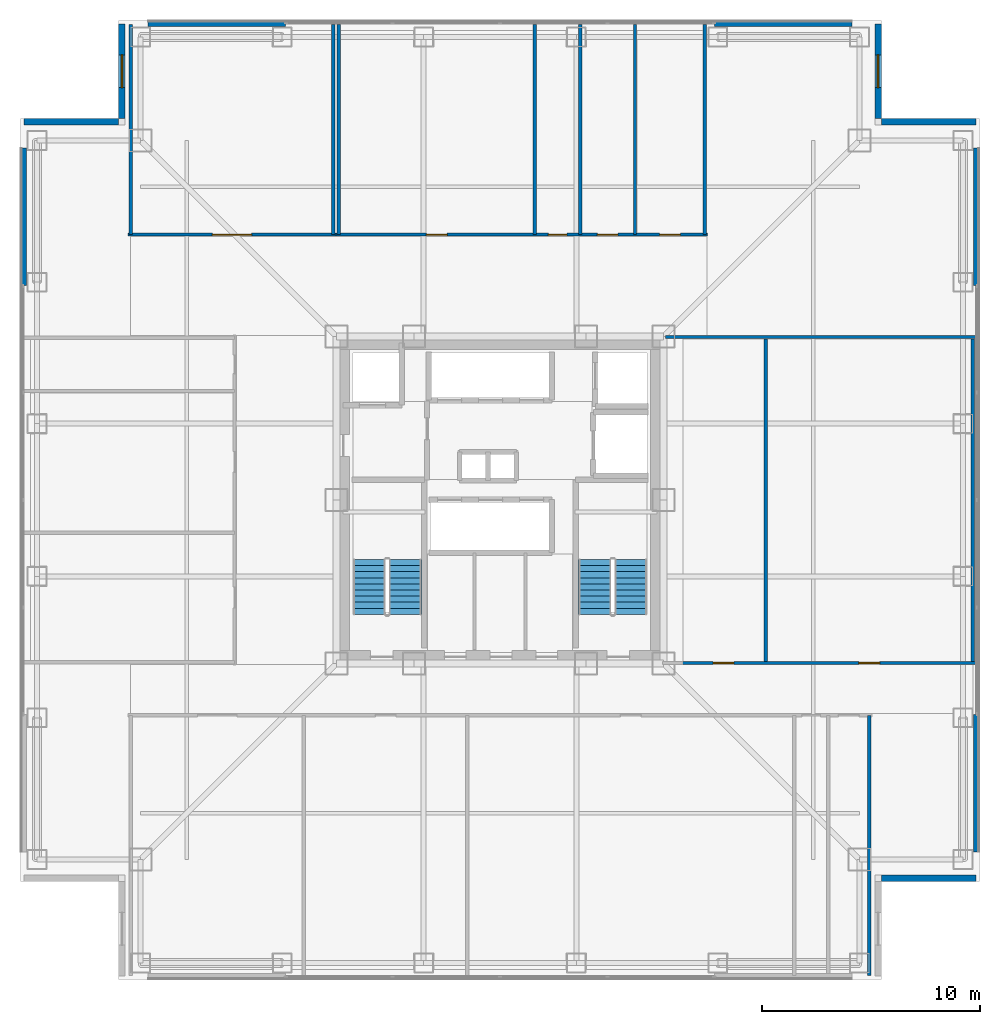
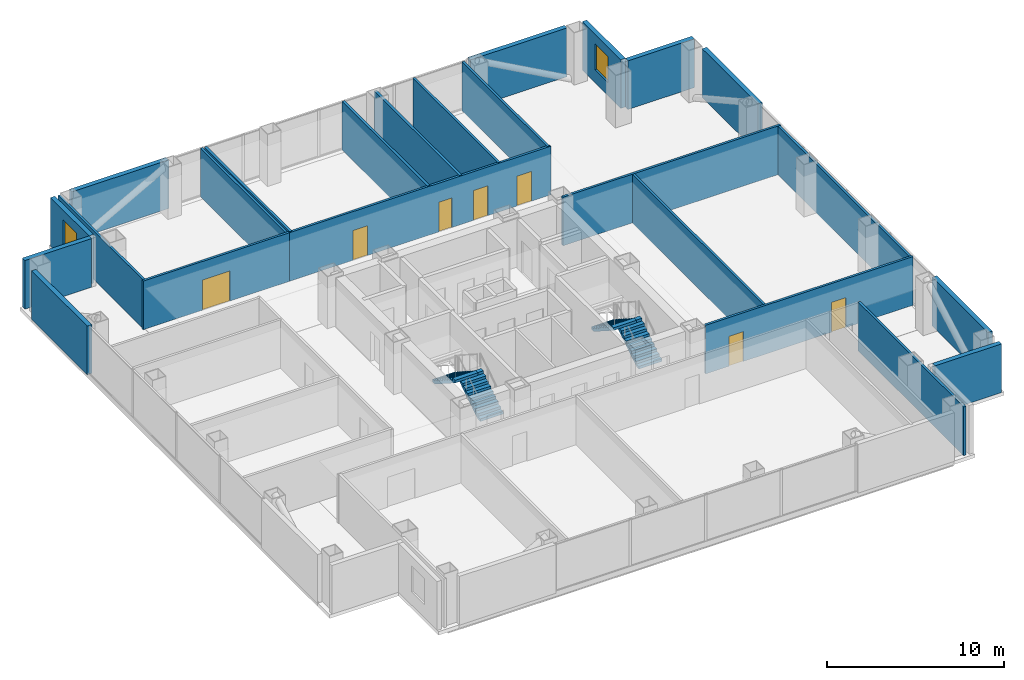
# One storey, part 13 of 16: 24 walls, 7 doors, 4 stair flights, 2 windows, 9 openings, 2 elements without a shape of their own.
"""IFC4 building model written with IfcOpenShell, lengths in metres."""

from ifc_helpers import new_model, si_unit, direction, frame, frame_2d, origin, place, context, subcontext, project, spatial, polyline, rectangle, outline, extrude, material, layer, layer_set, type_object, element, fill, aggregate, save


model = new_model("IFC4")

# Units and contexts
model_context = context("Model", 3, precision=1e-05, world=origin(), true_north=direction((0.0, 1.0)))
body_context = subcontext(model_context, "Body", "Model", "MODEL_VIEW")
ifc_project = project(units=[si_unit("LENGTHUNIT", "METRE"), si_unit("AREAUNIT", "SQUARE_METRE"), si_unit("VOLUMEUNIT", "CUBIC_METRE"), si_unit("PLANEANGLEUNIT", "RADIAN"), si_unit("MASSUNIT", "GRAM", prefix="KILO")], contexts=[model_context])

# Site, building, storey
site_placement = place(None, origin())
site = spatial("IfcSite", under=ifc_project, at=site_placement, CompositionType="ELEMENT")
building_placement = place(site_placement, origin())
building = spatial("IfcBuilding", under=site, at=building_placement, Name="Trevonay Congress Spire", CompositionType="ELEMENT")
storey_placement = place(building_placement, frame((0.0, 0.0, 101.199951171875)))
storey = spatial("IfcBuildingStorey", under=building, at=storey_placement, Name="L25", CompositionType="ELEMENT", Elevation=101.199951171875)

# Wall, opening, door
ifc_material_1 = material(Name="Concrete C40/50", Category="concrete")
ifc_layer_1 = layer(ifc_material_1, 0.14990234375, Name="Concrete C40/50")
ifc_layer_set_1 = layer_set([ifc_layer_1], Name="Concrete C40/50")
wall_type_1 = type_object("IfcWallType", Name="WAL-CORR-150", PredefinedType="PARTITIONING", material=ifc_layer_set_1)
wall_1_placement = place(storey_placement, frame((-17.070068359375, 12.179931640625, 0.0), z_axis=(0.0, 0.0, 1.0), x_axis=(1.0, 0.0, 0.0)))
wall_1 = element("IfcWall", 1, at=wall_1_placement, inside=storey, type_object=wall_type_1, Name="L25 interior wall WP-L25NW-COR", PredefinedType="PARTITIONING", context=body_context, shape_type="SweptSolid", body=[
    extrude(rectangle(XDim=9.5400390625, YDim=0.14990234375, at=frame_2d((4.77001953125, 0.0))), origin(), (0.0, 0.0, 1.0), 3.360107421875),
])
opening_1_placement = place(wall_1_placement, frame((3.8701171875, 0.0, 0.0)))
opening_1 = element("IfcOpeningElement", 2, at=opening_1_placement, cuts=wall_1, Name="Opening D09", PredefinedType="OPENING", context=body_context, shape_type="SweptSolid", body=[
    extrude(rectangle(XDim=1.800048828125, YDim=2.080078125, at=frame_2d((0.89990234375, 1.0400390625))), frame((0.0, 0.0849609375, 0.0), z_axis=(0.0, -1.0, 0.0), x_axis=(1.0, 0.0, 0.0)), (0.0, 0.0, 1.0), 0.169921875),
])
ifc_material_2 = material(Name="Pale Anodised Aluminium EN AW-6063-T6", Category="aluminium")
door_type_1 = type_object("IfcDoorType", Name="DOR-CONF-DBL", OperationType="DOUBLE_DOOR_SINGLE_SWING", PredefinedType="DOOR", material=ifc_material_2)
door_1_placement = place(opening_1_placement, origin())
door_1 = element("IfcDoor", 3, at=door_1_placement, inside=storey, type_object=door_type_1, Name="L25 Treaty Seminar Salon North-West Door", OperationType="DOUBLE_DOOR_SINGLE_SWING", OverallHeight=2.080078125, OverallWidth=1.800048828125, PredefinedType="DOOR", context=body_context, shape_type="SweptSolid", body=[
    extrude(rectangle(XDim=1.800048828125, YDim=2.080078125, at=frame_2d((0.89990234375, 1.0400390625))), frame((0.0, 0.02490234375, 0.0), z_axis=(0.0, -1.0, 0.0), x_axis=(1.0, 0.0, 0.0)), (0.0, 0.0, 1.0), 0.050048828125),
])
fill(opening_1, door_1)

# Wall, openings, doors
wall_2_placement = place(storey_placement, frame((-7.52001953125, 12.179931640625, 0.0), z_axis=(0.0, 0.0, 1.0), x_axis=(1.0, 0.0, 0.0)))
wall_2 = element("IfcWall", 4, at=wall_2_placement, inside=storey, type_object=wall_type_1, Name="L25 interior wall WP-L25NE-COR", PredefinedType="PARTITIONING", context=body_context, shape_type="SweptSolid", body=[
    extrude(rectangle(XDim=17.0400390625, YDim=0.14990234375, at=frame_2d((8.52001953125, 0.0))), origin(), (0.0, 0.0, 1.0), 3.360107421875),
])
opening_2_placement = place(wall_2_placement, frame((4.14501953125, 0.0, 0.0)))
opening_2 = element("IfcOpeningElement", 5, at=opening_2_placement, cuts=wall_2, Name="Opening D07", PredefinedType="OPENING", context=body_context, shape_type="SweptSolid", body=[
    extrude(rectangle(XDim=0.949951171875, YDim=2.06005859375, at=frame_2d((0.47509765625, 1.030029296875))), frame((0.0, 0.0849609375, 0.0), z_axis=(0.0, -1.0, 0.0), x_axis=(1.0, 0.0, 0.0)), (0.0, 0.0, 1.0), 0.169921875),
])
opening_3_placement = place(wall_2_placement, frame((9.735107421875, 0.0, 0.0)))
opening_3 = element("IfcOpeningElement", 6, at=opening_3_placement, cuts=wall_2, Name="Opening D10", PredefinedType="OPENING", context=body_context, shape_type="SweptSolid", body=[
    extrude(rectangle(XDim=0.85009765625, YDim=2.050048828125, at=frame_2d((0.425048828125, 1.02490234375))), frame((0.0, 0.0849609375, 0.0), z_axis=(0.0, -1.0, 0.0), x_axis=(1.0, 0.0, 0.0)), (0.0, 0.0, 1.0), 0.169921875),
])
opening_4_placement = place(wall_2_placement, frame((11.985107421875, 0.0, 0.0)))
opening_4 = element("IfcOpeningElement", 7, at=opening_4_placement, cuts=wall_2, Name="Opening D07", PredefinedType="OPENING", context=body_context, shape_type="SweptSolid", body=[
    extrude(rectangle(XDim=0.949951171875, YDim=2.06005859375, at=frame_2d((0.47509765625, 1.030029296875))), frame((0.0, 0.0849609375, 0.0), z_axis=(0.0, -1.0, 0.0), x_axis=(1.0, 0.0, 0.0)), (0.0, 0.0, 1.0), 0.169921875),
])
opening_5_placement = place(wall_2_placement, frame((14.844970703125, 0.0, 0.0)))
opening_5 = element("IfcOpeningElement", 8, at=opening_5_placement, cuts=wall_2, Name="Opening D07", PredefinedType="OPENING", context=body_context, shape_type="SweptSolid", body=[
    extrude(rectangle(XDim=0.949951171875, YDim=2.06005859375, at=frame_2d((0.47509765625, 1.030029296875))), frame((0.0, 0.0849609375, 0.0), z_axis=(0.0, -1.0, 0.0), x_axis=(1.0, 0.0, 0.0)), (0.0, 0.0, 1.0), 0.169921875),
])
door_type_2 = type_object("IfcDoorType", Name="DOR-OFFICE-95", OperationType="NOTDEFINED", PredefinedType="DOOR", material=ifc_material_2)
door_2_placement = place(opening_2_placement, origin())
door_2 = element("IfcDoor", 9, at=door_2_placement, inside=storey, type_object=door_type_2, Name="L25 North-East Policy Research Studio Door", OperationType="SINGLE_SWING_RIGHT", OverallHeight=2.06005859375, OverallWidth=0.949951171875, PredefinedType="DOOR", context=body_context, shape_type="SweptSolid", body=[
    extrude(rectangle(XDim=0.949951171875, YDim=2.06005859375, at=frame_2d((0.47509765625, 1.030029296875))), frame((0.0, 0.02490234375, 0.0), z_axis=(0.0, -1.0, 0.0), x_axis=(1.0, 0.0, 0.0)), (0.0, 0.0, 1.0), 0.050048828125),
])
fill(opening_2, door_2)
door_3_placement = place(opening_4_placement, origin())
door_3 = element("IfcDoor", 10, at=door_3_placement, inside=storey, type_object=door_type_2, Name="L25 Floor Supplies and Copy Room Door", OperationType="SINGLE_SWING_RIGHT", OverallHeight=2.06005859375, OverallWidth=0.949951171875, PredefinedType="DOOR", context=body_context, shape_type="SweptSolid", body=[
    extrude(rectangle(XDim=0.949951171875, YDim=2.06005859375, at=frame_2d((0.47509765625, 1.030029296875))), frame((0.0, 0.02490234375, 0.0), z_axis=(0.0, -1.0, 0.0), x_axis=(1.0, 0.0, 0.0)), (0.0, 0.0, 1.0), 0.050048828125),
])
fill(opening_4, door_3)
door_4_placement = place(opening_5_placement, origin())
door_4 = element("IfcDoor", 11, at=door_4_placement, inside=storey, type_object=door_type_2, Name="L25 Tea Pantry Door", OperationType="SINGLE_SWING_LEFT", OverallHeight=2.06005859375, OverallWidth=0.949951171875, PredefinedType="DOOR", context=body_context, shape_type="SweptSolid", body=[
    extrude(rectangle(XDim=0.949951171875, YDim=2.06005859375, at=frame_2d((0.47509765625, 1.030029296875))), frame((0.0, 0.02490234375, 0.0), z_axis=(0.0, -1.0, 0.0), x_axis=(1.0, 0.0, 0.0)), (0.0, 0.0, 1.0), 0.050048828125),
])
fill(opening_5, door_4)
door_type_3 = type_object("IfcDoorType", Name="DOR-WC-85", OperationType="NOTDEFINED", PredefinedType="DOOR", material=ifc_material_2)
door_5_placement = place(opening_3_placement, origin())
door_5 = element("IfcDoor", 12, at=door_5_placement, inside=storey, type_object=door_type_3, Name="L25 Female Restroom WC Door", OperationType="SINGLE_SWING_LEFT", OverallHeight=2.050048828125, OverallWidth=0.85009765625, PredefinedType="DOOR", context=body_context, shape_type="SweptSolid", body=[
    extrude(rectangle(XDim=0.85009765625, YDim=2.050048828125, at=frame_2d((0.425048828125, 1.02490234375))), frame((0.0, 0.02490234375, 0.0), z_axis=(0.0, -1.0, 0.0), x_axis=(1.0, 0.0, 0.0)), (0.0, 0.0, 1.0), 0.050048828125),
])
fill(opening_3, door_5)

wall_3_placement = place(storey_placement, frame((8.280029296875, -7.47998046875, 0.0), z_axis=(0.0, 0.0, 1.0), x_axis=(1.0, 0.0, 0.0)))
wall_3 = element("IfcWall", 13, at=wall_3_placement, inside=storey, type_object=wall_type_1, Name="L25 interior wall WP-L25E-COR", PredefinedType="PARTITIONING", context=body_context, shape_type="SweptSolid", body=[
    extrude(rectangle(XDim=13.5400390625, YDim=0.14990234375, at=frame_2d((6.77001953125, 0.0))), origin(), (0.0, 0.0, 1.0), 3.360107421875),
])
opening_6_placement = place(wall_3_placement, frame((1.5048828125, 0.0, 0.0)))
opening_6 = element("IfcOpeningElement", 14, at=opening_6_placement, cuts=wall_3, Name="Opening D07", PredefinedType="OPENING", context=body_context, shape_type="SweptSolid", body=[
    extrude(rectangle(XDim=0.949951171875, YDim=2.06005859375, at=frame_2d((0.47509765625, 1.030029296875))), frame((0.0, 0.0849609375, 0.0), z_axis=(0.0, -1.0, 0.0), x_axis=(1.0, 0.0, 0.0)), (0.0, 0.0, 1.0), 0.169921875),
])
opening_7_placement = place(wall_3_placement, frame((8.195068359375, 0.0, 0.0)))
opening_7 = element("IfcOpeningElement", 15, at=opening_7_placement, cuts=wall_3, Name="Opening D07", PredefinedType="OPENING", context=body_context, shape_type="SweptSolid", body=[
    extrude(rectangle(XDim=0.949951171875, YDim=2.06005859375, at=frame_2d((0.47509765625, 1.030029296875))), frame((0.0, 0.0849609375, 0.0), z_axis=(0.0, -1.0, 0.0), x_axis=(1.0, 0.0, 0.0)), (0.0, 0.0, 1.0), 0.169921875),
])
door_6_placement = place(opening_6_placement, origin())
door_6 = element("IfcDoor", 16, at=door_6_placement, inside=storey, type_object=door_type_2, Name="L25 East Diplomatic Briefing Room Door", OperationType="SINGLE_SWING_RIGHT", OverallHeight=2.06005859375, OverallWidth=0.949951171875, PredefinedType="DOOR", context=body_context, shape_type="SweptSolid", body=[
    extrude(rectangle(XDim=0.949951171875, YDim=2.06005859375, at=frame_2d((0.47509765625, 1.030029296875))), frame((0.0, 0.02490234375, 0.0), z_axis=(0.0, -1.0, 0.0), x_axis=(1.0, 0.0, 0.0)), (0.0, 0.0, 1.0), 0.050048828125),
])
fill(opening_6, door_6)
door_7_placement = place(opening_7_placement, origin())
door_7 = element("IfcDoor", 17, at=door_7_placement, inside=storey, type_object=door_type_2, Name="L25 Document Print Office Door", OperationType="SINGLE_SWING_LEFT", OverallHeight=2.06005859375, OverallWidth=0.949951171875, PredefinedType="DOOR", context=body_context, shape_type="SweptSolid", body=[
    extrude(rectangle(XDim=0.949951171875, YDim=2.06005859375, at=frame_2d((0.47509765625, 1.030029296875))), frame((0.0, 0.02490234375, 0.0), z_axis=(0.0, -1.0, 0.0), x_axis=(1.0, 0.0, 0.0)), (0.0, 0.0, 1.0), 0.050048828125),
])
fill(opening_7, door_7)

# Walls
ifc_material_3 = material(Name="Precast concrete C40/50", Category="concrete")
ifc_layer_2 = layer(ifc_material_3, 0.300048828125, Name="Precast concrete C40/50")
ifc_layer_set_2 = layer_set([ifc_layer_2], Name="Precast concrete C40/50")
wall_type_2 = type_object("IfcWallType", Name="WAL-EXT-PRECAST-300", PredefinedType="SOLIDWALL", material=ifc_layer_set_2)
for number, where, z_axis, x_axis, name in (
    (18, (-16.14990234375, 21.8798828125, 0.0), (0.0, 0.0, 1.0), (1.0, 0.0, 0.0), "L25 NL braced-bay exterior pier wall"),
    (19, (9.85009765625, 21.8798828125, 0.0), (0.0, 0.0, 1.0), (1.0, 0.0, 0.0), "L25 NR braced-bay exterior pier wall"),
    (20, (-21.8798828125, 9.85009765625, 0.0), (0.0, 0.0, 1.0), (0.0, 1.0, 0.0), "L25 WR braced-bay exterior pier wall"),
    (21, (21.8798828125, -16.14990234375, 0.0), (0.0, 0.0, 1.0), (0.0, 1.0, 0.0), "L25 EL braced-bay exterior pier wall"),
    (22, (21.8798828125, 9.85009765625, 0.0), (0.0, 0.0, 1.0), (0.0, 1.0, 0.0), "L25 ER braced-bay exterior pier wall"),
):
    element("IfcWall", number, at=place(storey_placement, frame(where, z_axis=z_axis, x_axis=x_axis)), inside=storey, type_object=wall_type_2, Name=name, PredefinedType="SOLIDWALL", context=body_context, shape_type="SweptSolid", body=[
        extrude(rectangle(XDim=6.2998046875, YDim=0.300048828125, at=frame_2d((3.14990234375, 0.0))), origin(), (0.0, 0.0, 1.0), 3.360107421875),
    ])
wall_4_placement = place(storey_placement, frame((21.85009765625, -17.35009765625, 0.0), z_axis=(0.0, 0.0, 1.0), x_axis=(-1.0, 0.0, 0.0)))
element("IfcWall", 23, at=wall_4_placement, inside=storey, type_object=wall_type_2, Name="L25 SE re-entrant notch exterior wall 2", PredefinedType="SOLIDWALL", context=body_context, shape_type="SweptSolid", body=[
    extrude(rectangle(XDim=4.35009765625, YDim=0.300048828125, at=frame_2d((2.175048828125, 0.0))), origin(), (0.0, 0.0, 1.0), 3.360107421875),
])

# Wall, opening, window
wall_5_placement = place(storey_placement, frame((17.35009765625, 21.85009765625, 0.0), z_axis=(0.0, 0.0, 1.0), x_axis=(0.0, -1.0, 0.0)))
wall_5 = element("IfcWall", 24, at=wall_5_placement, inside=storey, type_object=wall_type_2, Name="L25 NE re-entrant notch exterior wall 1", PredefinedType="SOLIDWALL", context=body_context, shape_type="SweptSolid", body=[
    extrude(rectangle(XDim=4.35009765625, YDim=0.300048828125, at=frame_2d((2.175048828125, 0.0))), origin(), (0.0, 0.0, 1.0), 3.360107421875),
])
opening_8_placement = place(wall_5_placement, frame((1.425048828125, 0.0, 0.89990234375)))
opening_8 = element("IfcOpeningElement", 25, at=opening_8_placement, cuts=wall_5, Name="Opening WN03", PredefinedType="OPENING", context=body_context, shape_type="SweptSolid", body=[
    extrude(rectangle(XDim=1.5, YDim=1.800048828125, at=frame_2d((0.75, 0.89990234375))), frame((0.0, 0.16015625, 0.0), z_axis=(0.0, -1.0, 0.0), x_axis=(1.0, 0.0, 0.0)), (0.0, 0.0, 1.0), 0.320068359375),
])
ifc_material_4 = material(Name="Insulated Low-E Vision Glass IGU", Category="glass")
window_type = type_object("IfcWindowType", Name="WIN-NOTCH-150X180", PartitioningType="SINGLE_PANEL", PredefinedType="WINDOW", material=ifc_material_4)
window_1_placement = place(opening_8_placement, origin())
window_1 = element("IfcWindow", 26, at=window_1_placement, inside=storey, type_object=window_type, Name="L25 NE corner notch window", OverallHeight=1.800048828125, OverallWidth=1.5, PartitioningType="SINGLE_PANEL", PredefinedType="WINDOW", context=body_context, shape_type="SweptSolid", body=[
    extrude(rectangle(XDim=1.5, YDim=1.800048828125, at=frame_2d((0.75, 0.89990234375))), frame((0.0, 0.030029296875, 0.0), z_axis=(0.0, -1.0, 0.0), x_axis=(1.0, 0.0, 0.0)), (0.0, 0.0, 1.0), 0.06005859375),
])
fill(opening_8, window_1)

# Wall
wall_6_placement = place(storey_placement, frame((21.85009765625, 17.35009765625, 0.0), z_axis=(0.0, 0.0, 1.0), x_axis=(-1.0, 0.0, 0.0)))
element("IfcWall", 27, at=wall_6_placement, inside=storey, type_object=wall_type_2, Name="L25 NE re-entrant notch exterior wall 2", PredefinedType="SOLIDWALL", context=body_context, shape_type="SweptSolid", body=[
    extrude(rectangle(XDim=4.35009765625, YDim=0.300048828125, at=frame_2d((2.175048828125, 0.0))), origin(), (0.0, 0.0, 1.0), 3.360107421875),
])

# Wall, opening, window
wall_7_placement = place(storey_placement, frame((-17.35009765625, 21.85009765625, 0.0), z_axis=(0.0, 0.0, 1.0), x_axis=(0.0, -1.0, 0.0)))
wall_7 = element("IfcWall", 28, at=wall_7_placement, inside=storey, type_object=wall_type_2, Name="L25 NW re-entrant notch exterior wall 1", PredefinedType="SOLIDWALL", context=body_context, shape_type="SweptSolid", body=[
    extrude(rectangle(XDim=4.35009765625, YDim=0.300048828125, at=frame_2d((2.175048828125, 0.0))), origin(), (0.0, 0.0, 1.0), 3.360107421875),
])
opening_9_placement = place(wall_7_placement, frame((1.425048828125, 0.0, 0.89990234375)))
opening_9 = element("IfcOpeningElement", 29, at=opening_9_placement, cuts=wall_7, Name="Opening WN03", PredefinedType="OPENING", context=body_context, shape_type="SweptSolid", body=[
    extrude(rectangle(XDim=1.5, YDim=1.800048828125, at=frame_2d((0.75, 0.89990234375))), frame((0.0, 0.16015625, 0.0), z_axis=(0.0, -1.0, 0.0), x_axis=(1.0, 0.0, 0.0)), (0.0, 0.0, 1.0), 0.320068359375),
])
window_2_placement = place(opening_9_placement, origin())
window_2 = element("IfcWindow", 30, at=window_2_placement, inside=storey, type_object=window_type, Name="L25 NW corner notch window", OverallHeight=1.800048828125, OverallWidth=1.5, PartitioningType="SINGLE_PANEL", PredefinedType="WINDOW", context=body_context, shape_type="SweptSolid", body=[
    extrude(rectangle(XDim=1.5, YDim=1.800048828125, at=frame_2d((0.75, 0.89990234375))), frame((0.0, 0.030029296875, 0.0), z_axis=(0.0, -1.0, 0.0), x_axis=(1.0, 0.0, 0.0)), (0.0, 0.0, 1.0), 0.06005859375),
])
fill(opening_9, window_2)

# Walls
wall_8_placement = place(storey_placement, frame((-21.85009765625, 17.35009765625, 0.0), z_axis=(0.0, 0.0, 1.0), x_axis=(1.0, 0.0, 0.0)))
element("IfcWall", 31, at=wall_8_placement, inside=storey, type_object=wall_type_2, Name="L25 NW re-entrant notch exterior wall 2", PredefinedType="SOLIDWALL", context=body_context, shape_type="SweptSolid", body=[
    extrude(rectangle(XDim=4.35009765625, YDim=0.300048828125, at=frame_2d((2.175048828125, 0.0))), origin(), (0.0, 0.0, 1.0), 3.360107421875),
])
ifc_layer_3 = layer(ifc_material_1, 0.14990234375, Name="Concrete C40/50")
ifc_layer_set_3 = layer_set([ifc_layer_3], Name="Concrete C40/50")
wall_type_3 = type_object("IfcWallType", Name="WAL-PART-150", PredefinedType="PARTITIONING", material=ifc_layer_set_3)
wall_9_placement = place(storey_placement, frame((16.949951171875, -21.820068359375, 0.0), z_axis=(0.0, 0.0, 1.0), x_axis=(0.0, 1.0, 0.0)))
element("IfcWall", 32, at=wall_9_placement, inside=storey, type_object=wall_type_3, Name="L25 interior wall WP-L25S-DIV5", PredefinedType="PARTITIONING", context=body_context, shape_type="SweptSolid", body=[
    extrude(rectangle(XDim=11.940185546875, YDim=0.14990234375, at=frame_2d((5.97021484375, 0.0))), origin(), (0.0, 0.0, 1.0), 3.360107421875),
])
for number, where, z_axis, x_axis, name in (
    (33, (-16.949951171875, 12.179931640625, 0.0), (0.0, 0.0, 1.0), (0.0, 1.0, 0.0), "L25 interior wall WP-L25NW-DIV1"),
    (34, (-7.64990234375, 12.179931640625, 0.0), (0.0, 0.0, 1.0), (0.0, 1.0, 0.0), "L25 interior wall WP-L25NW-DIV2"),
    (35, (6.199951171875, 12.179931640625, 0.0), (0.0, 0.0, 1.0), (0.0, 1.0, 0.0), "L25 interior wall WP-L25NE-DIV3"),
    (36, (9.39990234375, 12.179931640625, 0.0), (0.0, 0.0, 1.0), (0.0, 1.0, 0.0), "L25 interior wall WP-L25NE-DIV4"),
):
    element("IfcWall", number, at=place(storey_placement, frame(where, z_axis=z_axis, x_axis=x_axis)), inside=storey, type_object=wall_type_3, Name=name, PredefinedType="PARTITIONING", context=body_context, shape_type="SweptSolid", body=[
        extrude(rectangle(XDim=9.64013671875, YDim=0.14990234375, at=frame_2d((4.820068359375, 0.0))), origin(), (0.0, 0.0, 1.0), 3.360107421875),
    ])
for number, where, z_axis, x_axis, name in (
    (37, (12.199951171875, -7.47998046875, 0.0), (0.0, 0.0, 1.0), (0.0, 1.0, 0.0), "L25 interior wall WP-L25E-DIV1"),
    (38, (21.699951171875, -7.47998046875, 0.0), (0.0, 0.0, 1.0), (0.0, 1.0, 0.0), "L25 interior wall WP-L25E-DIV2"),
):
    element("IfcWall", number, at=place(storey_placement, frame(where, z_axis=z_axis, x_axis=x_axis)), inside=storey, type_object=wall_type_3, Name=name, PredefinedType="PARTITIONING", context=body_context, shape_type="SweptSolid", body=[
        extrude(rectangle(XDim=14.8798828125, YDim=0.14990234375, at=frame_2d((7.43994140625, 0.0))), origin(), (0.0, 0.0, 1.0), 3.360107421875),
    ])
wall_10_placement = place(storey_placement, frame((7.60009765625, 7.47998046875, 0.0), z_axis=(0.0, 0.0, 1.0), x_axis=(1.0, 0.0, 0.0)))
element("IfcWall", 39, at=wall_10_placement, inside=storey, type_object=wall_type_3, Name="L25 interior wall WP-L25E-NCLS", PredefinedType="PARTITIONING", context=body_context, shape_type="SweptSolid", body=[
    extrude(rectangle(XDim=14.219970703125, YDim=0.14990234375, at=frame_2d((7.10986328125, 0.0))), origin(), (0.0, 0.0, 1.0), 3.360107421875),
])
ifc_layer_4 = layer(ifc_material_1, 0.1650390625, Name="Concrete C40/50")
ifc_layer_set_4 = layer_set([ifc_layer_4], Name="Concrete C40/50")
wall_type_4 = type_object("IfcWallType", Name="WAL-WET-165", PredefinedType="PLUMBINGWALL", material=ifc_layer_set_4)
for number, where, z_axis, x_axis, name in (
    (40, (3.679931640625, 12.179931640625, 0.0), (0.0, 0.0, 1.0), (0.0, 1.0, 0.0), "L25 interior wall WP-L25NE-WCS2"),
    (41, (-7.39990234375, 12.179931640625, 0.0), (0.0, 0.0, 1.0), (0.0, 1.0, 0.0), "L25 interior wall WP-L25NE-DIV1"),
    (42, (1.60009765625, 12.179931640625, 0.0), (0.0, 0.0, 1.0), (0.0, 1.0, 0.0), "L25 interior wall WP-L25NE-DIV2"),
):
    element("IfcWall", number, at=place(storey_placement, frame(where, z_axis=z_axis, x_axis=x_axis)), inside=storey, type_object=wall_type_4, Name=name, PredefinedType="PLUMBINGWALL", context=body_context, shape_type="SweptSolid", body=[
        extrude(rectangle(XDim=9.64013671875, YDim=0.1650390625, at=frame_2d((4.820068359375, 0.0))), origin(), (0.0, 0.0, 1.0), 3.360107421875),
    ])

# Stair, stair flights
stair_type_1 = type_object("IfcStairType", Name="STR-ST-1", PredefinedType="HALF_TURN_STAIR", material=ifc_material_1)
stair_1_placement = place(storey_placement, origin())
stair_1 = element("IfcStair", 43, at=stair_1_placement, inside=storey, type_object=stair_type_1, Name="L25 Protected Exit Stair ST-1", PredefinedType="HALF_TURN_STAIR")
stair_flight_type_1 = type_object("IfcStairFlightType", Name="SFL-ST-1", PredefinedType="STRAIGHT", material=ifc_material_1)
stair_flight_1_placement = place(storey_placement, frame((-4.35009765625, -5.25, 0.0), z_axis=(0.0, 0.0, 1.0), x_axis=(0.0, 1.0, 0.0)))
stair_flight_1 = element("IfcStairFlight", 44, at=stair_flight_1_placement, type_object=stair_flight_type_1, Name="ST-1 flight 1", NumberOfRisers=10, NumberOfTreads=9, PredefinedType="STRAIGHT", RiserHeight=0.18, TreadLength=0.28, context=body_context, shape_type="SweptSolid", body=[
    extrude(outline(polyline([(0.0, 0.0), (0.0, 0.179931640625), (0.280029296875, 0.179931640625), (0.280029296875, 0.360107421875), (0.56005859375, 0.360107421875), (0.56005859375, 0.5400390625), (0.840087890625, 0.5400390625), (0.840087890625, 0.719970703125), (1.1201171875, 0.719970703125), (1.1201171875, 0.89990234375), (1.39990234375, 0.89990234375), (1.39990234375, 1.080078125), (1.679931640625, 1.080078125), (1.679931640625, 1.260009765625), (1.9599609375, 1.260009765625), (1.9599609375, 1.43994140625), (2.239990234375, 1.43994140625), (2.239990234375, 1.6201171875), (2.52001953125, 1.6201171875), (2.52001953125, 1.800048828125), (2.52001953125, 1.44189453125), (0.277099609375, 0.0), (0.0, 0.0)])), frame((0.0, 0.75, 0.0), z_axis=(0.0, -1.0, 0.0), x_axis=(1.0, 0.0, 0.0)), (0.0, 0.0, 1.0), 1.5),
])
stair_flight_2_placement = place(storey_placement, frame((-6.0, -2.72998046875, 1.800048828125), z_axis=(0.0, 0.0, 1.0), x_axis=(0.0, -1.0, 0.0)))
stair_flight_2 = element("IfcStairFlight", 45, at=stair_flight_2_placement, type_object=stair_flight_type_1, Name="ST-1 flight 2", NumberOfRisers=10, NumberOfTreads=9, PredefinedType="STRAIGHT", RiserHeight=0.18, TreadLength=0.28, context=body_context, shape_type="SweptSolid", body=[
    extrude(outline(polyline([(0.0, 0.0), (0.0, 0.179931640625), (0.280029296875, 0.179931640625), (0.280029296875, 0.360107421875), (0.56005859375, 0.360107421875), (0.56005859375, 0.5400390625), (0.840087890625, 0.5400390625), (0.840087890625, 0.719970703125), (1.1201171875, 0.719970703125), (1.1201171875, 0.89990234375), (1.39990234375, 0.89990234375), (1.39990234375, 1.080078125), (1.679931640625, 1.080078125), (1.679931640625, 1.260009765625), (1.9599609375, 1.260009765625), (1.9599609375, 1.43994140625), (2.239990234375, 1.43994140625), (2.239990234375, 1.6201171875), (2.52001953125, 1.6201171875), (2.52001953125, 1.800048828125), (2.52001953125, 1.44189453125), (0.277099609375, 0.0), (0.0, 0.0)])), frame((0.0, 0.75, 0.0), z_axis=(0.0, -1.0, 0.0), x_axis=(1.0, 0.0, 0.0)), (0.0, 0.0, 1.0), 1.5),
])
aggregate(stair_1, [stair_flight_1, stair_flight_2])

stair_type_2 = type_object("IfcStairType", Name="STR-ST-2", PredefinedType="HALF_TURN_STAIR", material=ifc_material_1)
stair_2_placement = place(storey_placement, origin())
stair_2 = element("IfcStair", 46, at=stair_2_placement, inside=storey, type_object=stair_type_2, Name="L25 Protected Exit Stair ST-2", PredefinedType="HALF_TURN_STAIR")
stair_flight_type_2 = type_object("IfcStairFlightType", Name="SFL-ST-2", PredefinedType="STRAIGHT", material=ifc_material_1)
stair_flight_3_placement = place(storey_placement, frame((6.0, -5.25, 0.0), z_axis=(0.0, 0.0, 1.0), x_axis=(0.0, 1.0, 0.0)))
stair_flight_3 = element("IfcStairFlight", 47, at=stair_flight_3_placement, type_object=stair_flight_type_2, Name="ST-2 flight 1", NumberOfRisers=10, NumberOfTreads=9, PredefinedType="STRAIGHT", RiserHeight=0.18, TreadLength=0.28, context=body_context, shape_type="SweptSolid", body=[
    extrude(outline(polyline([(0.0, 0.0), (0.0, 0.179931640625), (0.280029296875, 0.179931640625), (0.280029296875, 0.360107421875), (0.56005859375, 0.360107421875), (0.56005859375, 0.5400390625), (0.840087890625, 0.5400390625), (0.840087890625, 0.719970703125), (1.1201171875, 0.719970703125), (1.1201171875, 0.89990234375), (1.39990234375, 0.89990234375), (1.39990234375, 1.080078125), (1.679931640625, 1.080078125), (1.679931640625, 1.260009765625), (1.9599609375, 1.260009765625), (1.9599609375, 1.43994140625), (2.239990234375, 1.43994140625), (2.239990234375, 1.6201171875), (2.52001953125, 1.6201171875), (2.52001953125, 1.800048828125), (2.52001953125, 1.44189453125), (0.277099609375, 0.0), (0.0, 0.0)])), frame((0.0, 0.75, 0.0), z_axis=(0.0, -1.0, 0.0), x_axis=(1.0, 0.0, 0.0)), (0.0, 0.0, 1.0), 1.5),
])
stair_flight_4_placement = place(storey_placement, frame((4.35009765625, -2.72998046875, 1.800048828125), z_axis=(0.0, 0.0, 1.0), x_axis=(0.0, -1.0, 0.0)))
stair_flight_4 = element("IfcStairFlight", 48, at=stair_flight_4_placement, type_object=stair_flight_type_2, Name="ST-2 flight 2", NumberOfRisers=10, NumberOfTreads=9, PredefinedType="STRAIGHT", RiserHeight=0.18, TreadLength=0.28, context=body_context, shape_type="SweptSolid", body=[
    extrude(outline(polyline([(0.0, 0.0), (0.0, 0.179931640625), (0.280029296875, 0.179931640625), (0.280029296875, 0.360107421875), (0.56005859375, 0.360107421875), (0.56005859375, 0.5400390625), (0.840087890625, 0.5400390625), (0.840087890625, 0.719970703125), (1.1201171875, 0.719970703125), (1.1201171875, 0.89990234375), (1.39990234375, 0.89990234375), (1.39990234375, 1.080078125), (1.679931640625, 1.080078125), (1.679931640625, 1.260009765625), (1.9599609375, 1.260009765625), (1.9599609375, 1.43994140625), (2.239990234375, 1.43994140625), (2.239990234375, 1.6201171875), (2.52001953125, 1.6201171875), (2.52001953125, 1.800048828125), (2.52001953125, 1.44189453125), (0.277099609375, 0.0), (0.0, 0.0)])), frame((0.0, 0.75, 0.0), z_axis=(0.0, -1.0, 0.0), x_axis=(1.0, 0.0, 0.0)), (0.0, 0.0, 1.0), 1.5),
])
aggregate(stair_2, [stair_flight_3, stair_flight_4])

save(model, "model.ifc")
